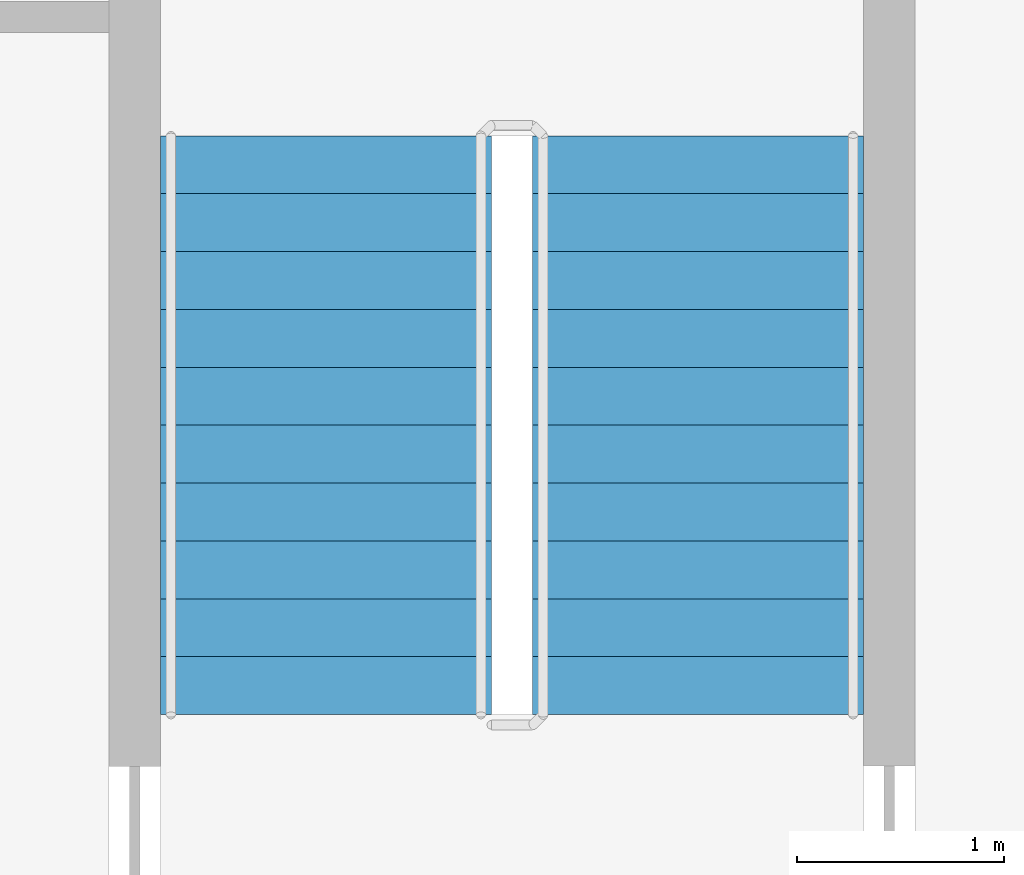
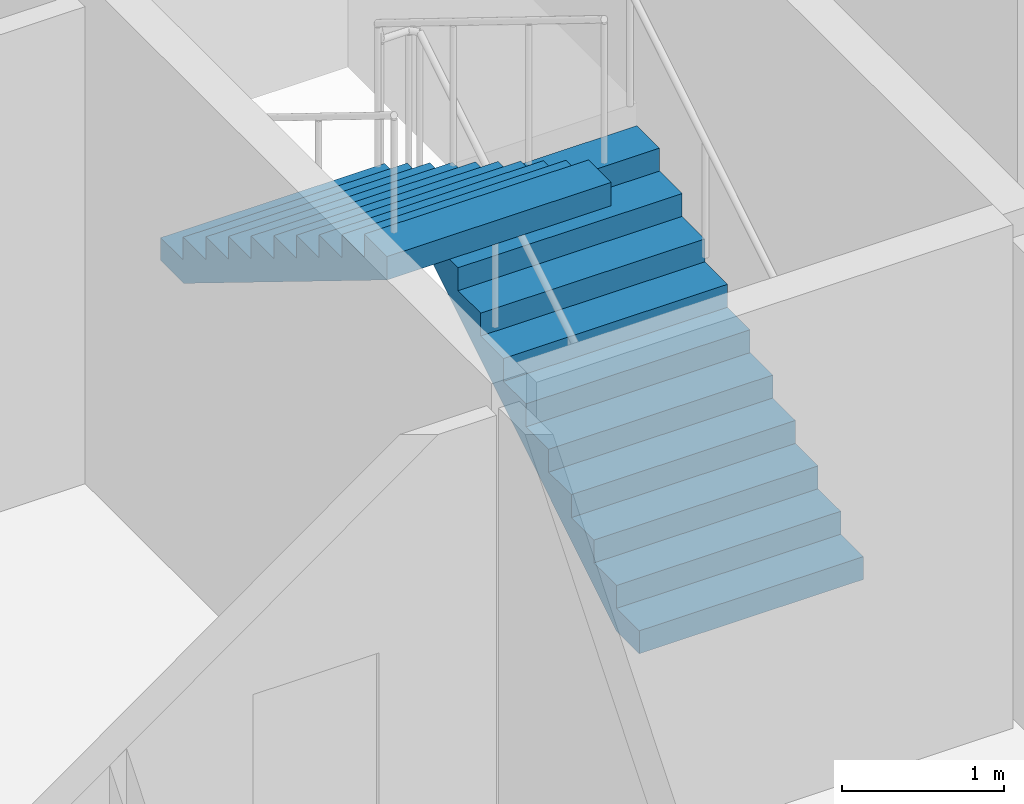
# One storey, part 11 of 13: 2 stair flights, 1 element without a shape of its own.
"""IFC4 building model written with IfcOpenShell, lengths in metres."""

from ifc_helpers import new_model, si_unit, direction, frame, origin, place, context, subcontext, project, spatial, polyline, outline, extrude, material, type_object, element, aggregate, save


model = new_model("IFC4")

# Units and contexts
model_context = context("Model", 3, precision=1e-05, world=origin(), true_north=direction((0.0, 1.0)))
body_context = subcontext(model_context, "Body", "Model", "MODEL_VIEW")
ifc_project = project(units=[si_unit("LENGTHUNIT", "METRE"), si_unit("AREAUNIT", "SQUARE_METRE"), si_unit("VOLUMEUNIT", "CUBIC_METRE"), si_unit("PLANEANGLEUNIT", "RADIAN"), si_unit("MASSUNIT", "GRAM", prefix="KILO")], contexts=[model_context])

# Site, building, storey
site_placement = place(None, origin())
site = spatial("IfcSite", under=ifc_project, at=site_placement, CompositionType="ELEMENT")
building_placement = place(site_placement, origin())
building = spatial("IfcBuilding", under=site, at=building_placement, Name="Tessera Gate Towers", CompositionType="ELEMENT")
storey_placement = place(building_placement, frame((0.0, 0.0, 131.60009765625)))
storey = spatial("IfcBuildingStorey", under=building, at=storey_placement, Name="L32", CompositionType="ELEMENT", Elevation=131.60009765625)

# Stair, stair flights
ifc_material_1 = material(Name="Concrete C40/50", Category="concrete")
stair_type = type_object("IfcStairType", Name="EXIT STAIR ST2 1600", PredefinedType="HALF_TURN_STAIR", material=ifc_material_1)
stair_placement = place(storey_placement, origin())
stair = element("IfcStair", 1, at=stair_placement, inside=storey, type_object=stair_type, Name="L32 Protected Exit Stair ST2", PredefinedType="HALF_TURN_STAIR")
ifc_material_2 = material(Name="Concrete C40/50", Category="concrete")
stair_flight_type = type_object("IfcStairFlightType", Name="EXIT STAIR FLIGHT ST2 1600", PredefinedType="STRAIGHT", material=ifc_material_2)
stair_flight_1_placement = place(storey_placement, frame((51.074951171875, 41.52490234375, 0.0), z_axis=(0.0, 0.0, 1.0), x_axis=(0.0, 1.0, 0.0)))
stair_flight_1 = element("IfcStairFlight", 2, at=stair_flight_1_placement, type_object=stair_flight_type, Name="ST2 flight 1", NumberOfRisers=11, NumberOfTreads=10, PredefinedType="STRAIGHT", RiserHeight=0.172727273, TreadLength=0.28, context=body_context, shape_type="SweptSolid", body=[
    extrude(outline(polyline([(0.0, 0.0), (0.0, 0.172607421875), (0.280029296875, 0.172607421875), (0.280029296875, 0.345458984375), (0.56005859375, 0.345458984375), (0.56005859375, 0.51806640625), (0.840087890625, 0.51806640625), (0.840087890625, 0.69091796875), (1.1201171875, 0.69091796875), (1.1201171875, 0.863525390625), (1.39990234375, 0.863525390625), (1.39990234375, 1.036376953125), (1.679931640625, 1.036376953125), (1.679931640625, 1.208984375), (1.9599609375, 1.208984375), (1.9599609375, 1.3818359375), (2.239990234375, 1.3818359375), (2.239990234375, 1.554443359375), (2.52001953125, 1.554443359375), (2.52001953125, 1.727294921875), (2.800048828125, 1.727294921875), (2.800048828125, 1.89990234375), (2.800048828125, 1.551025390625), (0.285400390625, 0.0), (0.0, 0.0)])), frame((0.0, 0.800048828125, 0.0), z_axis=(0.0, -1.0, 0.0), x_axis=(1.0, 0.0, 0.0)), (0.0, 0.0, 1.0), 1.60009765625),
])
stair_flight_2_placement = place(storey_placement, frame((49.27490234375, 44.324951171875, 1.89990234375), z_axis=(0.0, 0.0, 1.0), x_axis=(0.0, -1.0, 0.0)))
stair_flight_2 = element("IfcStairFlight", 3, at=stair_flight_2_placement, type_object=stair_flight_type, Name="ST2 flight 2", NumberOfRisers=11, NumberOfTreads=10, PredefinedType="STRAIGHT", RiserHeight=0.172727273, TreadLength=0.28, context=body_context, shape_type="SweptSolid", body=[
    extrude(outline(polyline([(0.0, 0.0), (0.0, 0.172607421875), (0.280029296875, 0.172607421875), (0.280029296875, 0.345458984375), (0.56005859375, 0.345458984375), (0.56005859375, 0.51806640625), (0.840087890625, 0.51806640625), (0.840087890625, 0.69091796875), (1.1201171875, 0.69091796875), (1.1201171875, 0.863525390625), (1.39990234375, 0.863525390625), (1.39990234375, 1.036376953125), (1.679931640625, 1.036376953125), (1.679931640625, 1.208984375), (1.9599609375, 1.208984375), (1.9599609375, 1.3818359375), (2.239990234375, 1.3818359375), (2.239990234375, 1.554443359375), (2.52001953125, 1.554443359375), (2.52001953125, 1.727294921875), (2.800048828125, 1.727294921875), (2.800048828125, 1.89990234375), (2.800048828125, 1.551025390625), (0.285400390625, 0.0), (0.0, 0.0)])), frame((0.0, 0.800048828125, 0.0), z_axis=(0.0, -1.0, 0.0), x_axis=(1.0, 0.0, 0.0)), (0.0, 0.0, 1.0), 1.60009765625),
])
aggregate(stair, [stair_flight_1, stair_flight_2])

save(model, "model.ifc")
